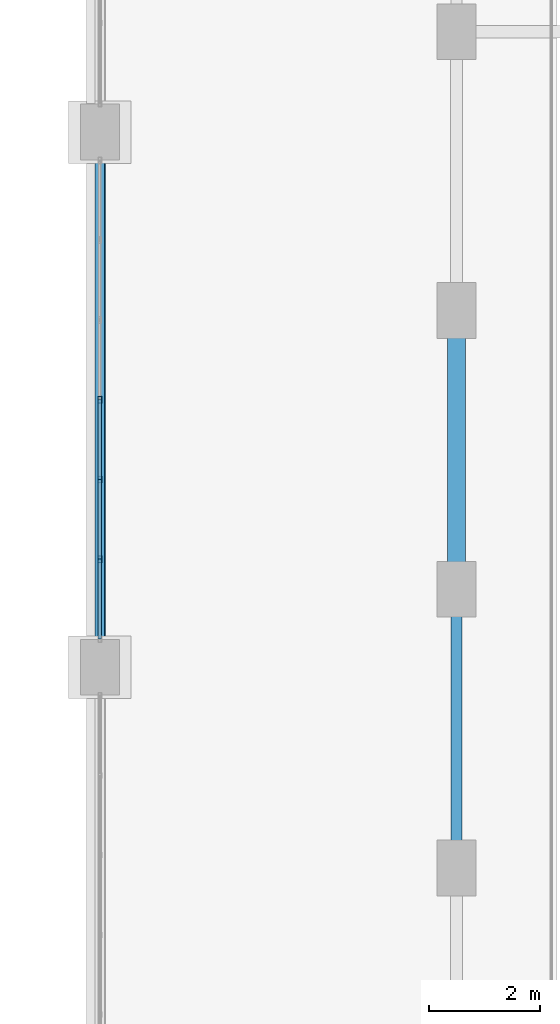
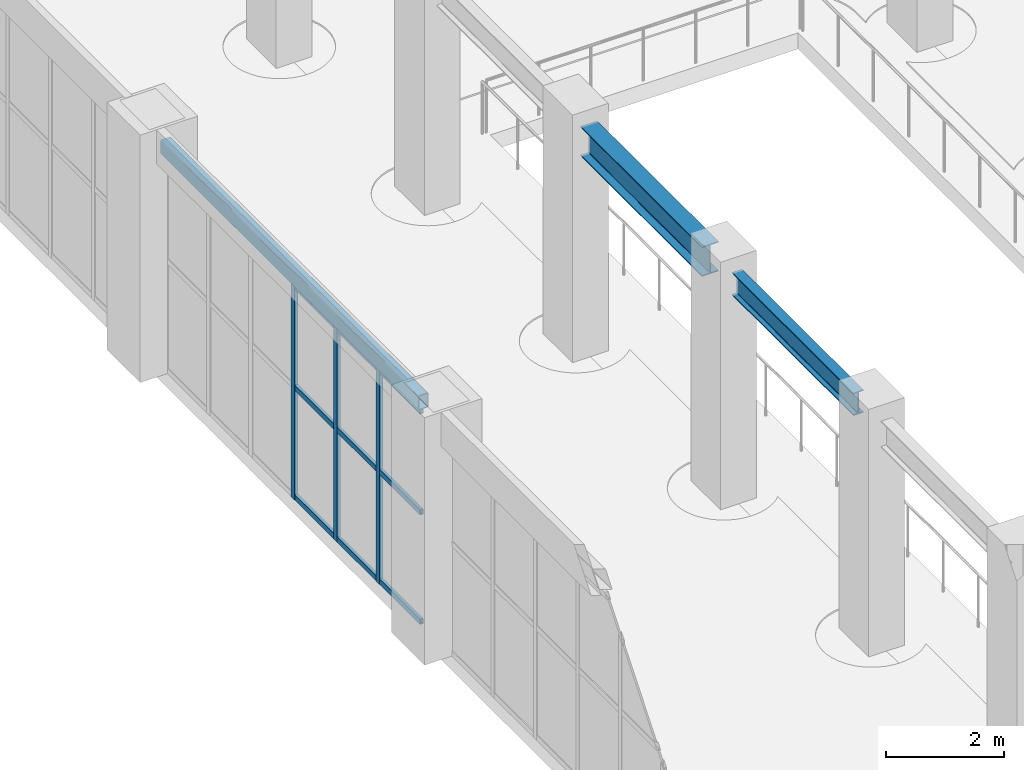
# One storey, part 84 of 174: 12 members, 3 beams, 1 element without a shape of its own.
"""IFC4 building model written with IfcOpenShell, lengths in metres."""

from ifc_helpers import new_model, si_unit, direction, frame, origin, origin_2d, place, context, subcontext, project, spatial, hollow_rectangle, i_section, extrude, material, material_profile, profile_set, type_object, element, aggregate, save


model = new_model("IFC4")

# Units and contexts
model_context = context("Model", 3, precision=1e-05, world=origin(), true_north=direction((0.0, 1.0)))
body_context = subcontext(model_context, "Body", "Model", "MODEL_VIEW")
ifc_project = project(units=[si_unit("LENGTHUNIT", "METRE"), si_unit("AREAUNIT", "SQUARE_METRE"), si_unit("VOLUMEUNIT", "CUBIC_METRE"), si_unit("PLANEANGLEUNIT", "RADIAN"), si_unit("MASSUNIT", "GRAM", prefix="KILO")], contexts=[model_context])

# Site, building, storey
site_placement = place(None, origin())
site = spatial("IfcSite", under=ifc_project, at=site_placement, CompositionType="ELEMENT")
building_placement = place(site_placement, origin())
building = spatial("IfcBuilding", under=site, at=building_placement, Name="Mavantir Sound Aquarium", CompositionType="ELEMENT")
storey_placement = place(building_placement, frame((0.0, 0.0, 5.39990234375)))
storey = spatial("IfcBuildingStorey", under=building, at=storey_placement, Name="L01", CompositionType="ELEMENT", Elevation=5.39990234375)

# Beams
ifc_material_1 = material(Name="Hollow Structural Steel ASTM A500 GrC", Category="steel")
ifc_material_profile_1 = material_profile(ifc_material_1, hollow_rectangle(XDim=0.199951171875, YDim=0.300048828125, WallThickness=0.012451171875, InnerFilletRadius=0.012451171875, OuterFilletRadius=0.02490234375, at=origin_2d()), Name="RHS 300X200X12.5")
ifc_profile_set_1 = profile_set([ifc_material_profile_1], Name="Hollow Structural Steel ASTM A500 GrC")
beam_type_1 = type_object("IfcBeamType", Name="BM-RHS300-E", PredefinedType="SPANDREL", material=ifc_profile_set_1)
beam_1_placement = place(storey_placement, frame((101.60009765625, 74.85009765625, 4.6259765625), z_axis=(0.0, 1.0, 0.0), x_axis=(-1.0, 0.0, 0.0)))
element("IfcBeam", 1, at=beam_1_placement, inside=storey, type_object=beam_type_1, Name="L01 primary girder SS-R30 1287", PredefinedType="SPANDREL", context=body_context, shape_type="SweptSolid", body=[
    extrude(hollow_rectangle(XDim=0.199951171875, YDim=0.300048828125, WallThickness=0.012451171875, InnerFilletRadius=0.012451171875, OuterFilletRadius=0.02490234375, at=origin_2d()), origin(), (0.0, 0.0, 1.0), 8.699951171875),
])
ifc_material_2 = material(Name="Structural Steel ASTM A992 Gr50", Category="steel")
ifc_material_profile_2 = material_profile(ifc_material_2, i_section(OverallWidth=0.194091796875, OverallDepth=0.468994140625, WebThickness=0.0126953125, FlangeThickness=0.0205078125, FilletRadius=0.01611328125, at=origin_2d()), Name="W460X106")
ifc_profile_set_2 = profile_set([ifc_material_profile_2], Name="Structural Steel ASTM A992 Gr50")
beam_type_2 = type_object("IfcBeamType", Name="BM-W460X106-I", PredefinedType="BEAM", material=ifc_profile_set_2)
beam_2_placement = place(storey_placement, frame((108.0, 71.25, 4.54150390625), z_axis=(0.0, 1.0, 0.0), x_axis=(-1.0, 0.0, 0.0)))
element("IfcBeam", 2, at=beam_2_placement, inside=storey, type_object=beam_type_2, Name="L01 primary girder SB-46 1296", PredefinedType="BEAM", context=body_context, shape_type="SweptSolid", body=[
    extrude(i_section(OverallWidth=0.194091796875, OverallDepth=0.468994140625, WebThickness=0.0126953125, FlangeThickness=0.0205078125, FilletRadius=0.01611328125, at=origin_2d()), origin(), (0.0, 0.0, 1.0), 4.10009765625),
])
ifc_material_profile_3 = material_profile(ifc_material_2, i_section(OverallWidth=0.323974609375, OverallDepth=0.611083984375, WebThickness=0.0126953125, FlangeThickness=0.01904296875, FilletRadius=0.01904296875, at=origin_2d()), Name="W610X155")
ifc_profile_set_3 = profile_set([ifc_material_profile_3], Name="Structural Steel ASTM A992 Gr50")
beam_type_3 = type_object("IfcBeamType", Name="BM-W610X155-I", PredefinedType="BEAM", material=ifc_profile_set_3)
beam_3_placement = place(storey_placement, frame((108.0, 76.25, 4.470703125), z_axis=(0.0, 1.0, 0.0), x_axis=(-1.0, 0.0, 0.0)))
element("IfcBeam", 3, at=beam_3_placement, inside=storey, type_object=beam_type_3, Name="L01 primary girder SB-61A 1297", PredefinedType="BEAM", context=body_context, shape_type="SweptSolid", body=[
    extrude(i_section(OverallWidth=0.323974609375, OverallDepth=0.611083984375, WebThickness=0.0126953125, FlangeThickness=0.01904296875, FilletRadius=0.01904296875, at=origin_2d()), origin(), (0.0, 0.0, 1.0), 4.10009765625),
])

# Curtain wall, members
ifc_material_3 = material(Name="Anodised Marine Aluminium and Low-E Glass", Category="aluminium")
curtain_wall_type = type_object("IfcCurtainWallType", Name="CW-T20", PredefinedType="USERDEFINED", material=ifc_material_3)
curtain_wall_placement = place(storey_placement, origin())
curtain_wall = element("IfcCurtainWall", 4, at=curtain_wall_placement, inside=storey, type_object=curtain_wall_type, Name="L01 unitised curtain wall CW-20 92", ObjectType="UNITISED GLAZING", PredefinedType="USERDEFINED")
ifc_material_4 = material(Name="Anodised Marine Aluminium 6063-T6", Category="aluminium")
ifc_material_profile_4 = material_profile(ifc_material_4, hollow_rectangle(XDim=0.06494140625, YDim=0.1201171875, WallThickness=0.00390625, at=origin_2d()), Name="ALU-MULLION-120X65")
ifc_profile_set_4 = profile_set([ifc_material_profile_4], Name="Anodised Marine Aluminium 6063-T6")
member_type_1 = type_object("IfcMemberType", Name="CW-MUL-120", PredefinedType="MULLION", material=ifc_profile_set_4)
member_1_placement = place(storey_placement, frame((101.60009765625, 79.199951171875, 0.0), z_axis=(0.0, 0.0, 1.0), x_axis=(1.0, 0.0, 0.0)))
member_1 = element("IfcMember", 5, at=member_1_placement, type_object=member_type_1, Name="CW-L01-092 vertical mullion 4", PredefinedType="MULLION", context=body_context, shape_type="SweptSolid", body=[
    extrude(hollow_rectangle(XDim=0.06494140625, YDim=0.1201171875, WallThickness=0.00390625, at=origin_2d()), origin(), (0.0, 0.0, 1.0), 4.446044921875),
])
member_2_placement = place(storey_placement, frame((101.60009765625, 77.769287109375, 0.0), z_axis=(0.0, 0.0, 1.0), x_axis=(1.0, 0.0, 0.0)))
member_2 = element("IfcMember", 6, at=member_2_placement, type_object=member_type_1, Name="CW-L01-092 vertical mullion 5", PredefinedType="MULLION", context=body_context, shape_type="SweptSolid", body=[
    extrude(hollow_rectangle(XDim=0.06494140625, YDim=0.1201171875, WallThickness=0.00390625, at=origin_2d()), origin(), (0.0, 0.0, 1.0), 4.446044921875),
])
member_3_placement = place(storey_placement, frame((101.60009765625, 76.338623046875, 0.0), z_axis=(0.0, 0.0, 1.0), x_axis=(1.0, 0.0, 0.0)))
member_3 = element("IfcMember", 7, at=member_3_placement, type_object=member_type_1, Name="CW-L01-092 vertical mullion 6", PredefinedType="MULLION", context=body_context, shape_type="SweptSolid", body=[
    extrude(hollow_rectangle(XDim=0.06494140625, YDim=0.1201171875, WallThickness=0.00390625, at=origin_2d()), origin(), (0.0, 0.0, 1.0), 4.446044921875),
])
ifc_material_profile_5 = material_profile(ifc_material_4, hollow_rectangle(XDim=0.06005859375, YDim=0.110107421875, WallThickness=0.00390625, at=origin_2d()), Name="ALU-TRANSOM-110X60")
ifc_profile_set_5 = profile_set([ifc_material_profile_5], Name="Anodised Marine Aluminium 6063-T6")
member_type_2 = type_object("IfcMemberType", Name="CW-TRN-110", PredefinedType="USERDEFINED", material=ifc_profile_set_5)
member_4_placement = place(storey_placement, frame((101.60009765625, 79.199951171875, 0.05517578125), z_axis=(0.0, -1.0, 0.0), x_axis=(1.0, 0.0, 0.0)))
member_4 = element("IfcMember", 8, at=member_4_placement, type_object=member_type_2, Name="CW-L01-092 transom 4.1", ObjectType="TRANSOM", PredefinedType="USERDEFINED", context=body_context, shape_type="SweptSolid", body=[
    extrude(hollow_rectangle(XDim=0.06005859375, YDim=0.110107421875, WallThickness=0.00390625, at=origin_2d()), origin(), (0.0, 0.0, 1.0), 1.4306640625),
])
member_5_placement = place(storey_placement, frame((101.60009765625, 79.199951171875, 2.31201171875), z_axis=(0.0, -1.0, 0.0), x_axis=(1.0, 0.0, 0.0)))
member_5 = element("IfcMember", 9, at=member_5_placement, type_object=member_type_2, Name="CW-L01-092 transom 4.2", ObjectType="TRANSOM", PredefinedType="USERDEFINED", context=body_context, shape_type="SweptSolid", body=[
    extrude(hollow_rectangle(XDim=0.06005859375, YDim=0.110107421875, WallThickness=0.00390625, at=origin_2d()), origin(), (0.0, 0.0, 1.0), 1.4306640625),
])
member_6_placement = place(storey_placement, frame((101.60009765625, 79.199951171875, 4.39111328125), z_axis=(0.0, -1.0, 0.0), x_axis=(1.0, 0.0, 0.0)))
member_6 = element("IfcMember", 10, at=member_6_placement, type_object=member_type_2, Name="CW-L01-092 transom 4.3", ObjectType="TRANSOM", PredefinedType="USERDEFINED", context=body_context, shape_type="SweptSolid", body=[
    extrude(hollow_rectangle(XDim=0.06005859375, YDim=0.110107421875, WallThickness=0.00390625, at=origin_2d()), origin(), (0.0, 0.0, 1.0), 1.4306640625),
])
member_7_placement = place(storey_placement, frame((101.60009765625, 77.769287109375, 0.05517578125), z_axis=(0.0, -1.0, 0.0), x_axis=(1.0, 0.0, 0.0)))
member_7 = element("IfcMember", 11, at=member_7_placement, type_object=member_type_2, Name="CW-L01-092 transom 5.1", ObjectType="TRANSOM", PredefinedType="USERDEFINED", context=body_context, shape_type="SweptSolid", body=[
    extrude(hollow_rectangle(XDim=0.06005859375, YDim=0.110107421875, WallThickness=0.00390625, at=origin_2d()), origin(), (0.0, 0.0, 1.0), 1.4306640625),
])
member_8_placement = place(storey_placement, frame((101.60009765625, 77.769287109375, 2.31201171875), z_axis=(0.0, -1.0, 0.0), x_axis=(1.0, 0.0, 0.0)))
member_8 = element("IfcMember", 12, at=member_8_placement, type_object=member_type_2, Name="CW-L01-092 transom 5.2", ObjectType="TRANSOM", PredefinedType="USERDEFINED", context=body_context, shape_type="SweptSolid", body=[
    extrude(hollow_rectangle(XDim=0.06005859375, YDim=0.110107421875, WallThickness=0.00390625, at=origin_2d()), origin(), (0.0, 0.0, 1.0), 1.4306640625),
])
member_9_placement = place(storey_placement, frame((101.60009765625, 77.769287109375, 4.39111328125), z_axis=(0.0, -1.0, 0.0), x_axis=(1.0, 0.0, 0.0)))
member_9 = element("IfcMember", 13, at=member_9_placement, type_object=member_type_2, Name="CW-L01-092 transom 5.3", ObjectType="TRANSOM", PredefinedType="USERDEFINED", context=body_context, shape_type="SweptSolid", body=[
    extrude(hollow_rectangle(XDim=0.06005859375, YDim=0.110107421875, WallThickness=0.00390625, at=origin_2d()), origin(), (0.0, 0.0, 1.0), 1.4306640625),
])
member_10_placement = place(storey_placement, frame((101.60009765625, 76.338623046875, 0.05517578125), z_axis=(0.0, -1.0, 0.0), x_axis=(1.0, 0.0, 0.0)))
member_10 = element("IfcMember", 14, at=member_10_placement, type_object=member_type_2, Name="CW-L01-092 transom 6.1", ObjectType="TRANSOM", PredefinedType="USERDEFINED", context=body_context, shape_type="SweptSolid", body=[
    extrude(hollow_rectangle(XDim=0.06005859375, YDim=0.110107421875, WallThickness=0.00390625, at=origin_2d()), origin(), (0.0, 0.0, 1.0), 1.4306640625),
])
member_11_placement = place(storey_placement, frame((101.60009765625, 76.338623046875, 2.31201171875), z_axis=(0.0, -1.0, 0.0), x_axis=(1.0, 0.0, 0.0)))
member_11 = element("IfcMember", 15, at=member_11_placement, type_object=member_type_2, Name="CW-L01-092 transom 6.2", ObjectType="TRANSOM", PredefinedType="USERDEFINED", context=body_context, shape_type="SweptSolid", body=[
    extrude(hollow_rectangle(XDim=0.06005859375, YDim=0.110107421875, WallThickness=0.00390625, at=origin_2d()), origin(), (0.0, 0.0, 1.0), 1.4306640625),
])
member_12_placement = place(storey_placement, frame((101.60009765625, 76.338623046875, 4.39111328125), z_axis=(0.0, -1.0, 0.0), x_axis=(1.0, 0.0, 0.0)))
member_12 = element("IfcMember", 16, at=member_12_placement, type_object=member_type_2, Name="CW-L01-092 transom 6.3", ObjectType="TRANSOM", PredefinedType="USERDEFINED", context=body_context, shape_type="SweptSolid", body=[
    extrude(hollow_rectangle(XDim=0.06005859375, YDim=0.110107421875, WallThickness=0.00390625, at=origin_2d()), origin(), (0.0, 0.0, 1.0), 1.4306640625),
])
aggregate(curtain_wall, [member_1, member_2, member_3, member_4, member_5, member_6, member_7, member_8, member_9, member_10, member_11, member_12])

save(model, "model.ifc")
